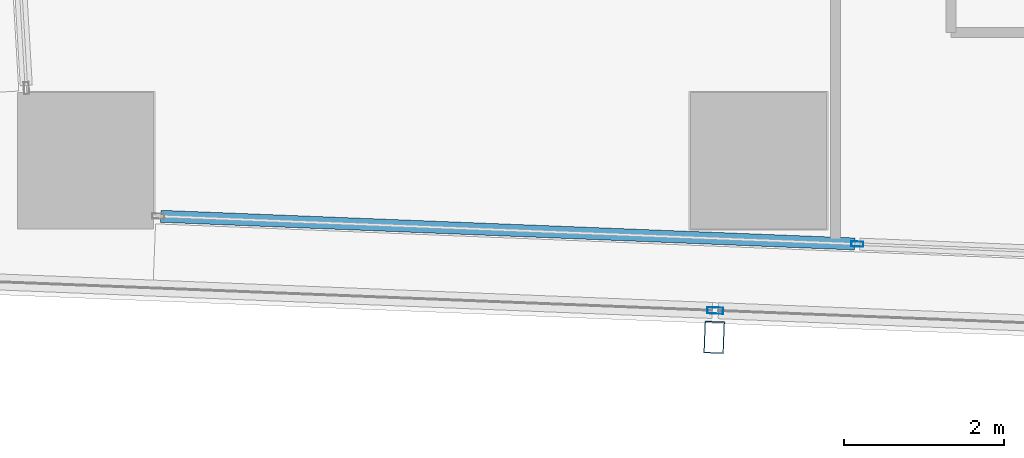
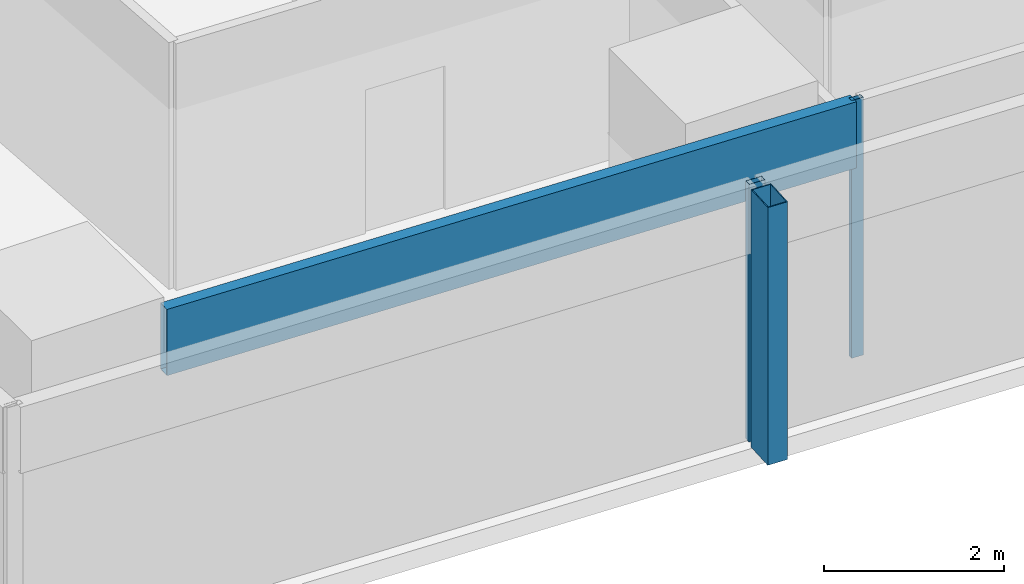
# One storey, part 3 of 39: 4 members, 2 elements without a shape of their own.
"""IFC4 building model written with IfcOpenShell, lengths in metres."""

from ifc_helpers import new_model, si_unit, direction, frame, origin, origin_2d, place, context, subcontext, project, spatial, hollow_rectangle, extrude, material, material_profile, profile_set, type_object, element, aggregate, save


model = new_model("IFC4")

# Units and contexts
model_context = context("Model", 3, precision=1e-05, world=origin(), true_north=direction((0.0, 1.0)))
body_context = subcontext(model_context, "Body", "Model", "MODEL_VIEW")
ifc_project = project(units=[si_unit("LENGTHUNIT", "METRE"), si_unit("AREAUNIT", "SQUARE_METRE"), si_unit("VOLUMEUNIT", "CUBIC_METRE"), si_unit("PLANEANGLEUNIT", "RADIAN"), si_unit("MASSUNIT", "GRAM", prefix="KILO")], contexts=[model_context])

# Site, building, storey
site_placement = place(None, origin())
site = spatial("IfcSite", under=ifc_project, at=site_placement, CompositionType="ELEMENT")
building_placement = place(site_placement, origin())
building = spatial("IfcBuilding", under=site, at=building_placement, Name="Rekha Terrace Tower", CompositionType="ELEMENT")
storey_placement = place(building_placement, frame((0.0, 0.0, 180.199951171875)))
storey = spatial("IfcBuildingStorey", under=building, at=storey_placement, Name="L45", CompositionType="ELEMENT", Elevation=180.199951171875)

# Curtain wall, member
ifc_material_1 = material(Name="Aluminium framing", Category="aluminium")
curtain_wall_type_1 = type_object("IfcCurtainWallType", Name="CW2 double skin outer glazing", PredefinedType="USERDEFINED", material=ifc_material_1)
curtain_wall_1_placement = place(storey_placement, origin())
curtain_wall_1 = element("IfcCurtainWall", 1, at=curtain_wall_1_placement, inside=storey, type_object=curtain_wall_type_1, Name="CW2 double skin outer glazing", ObjectType="DOUBLE SKIN OUTER GLAZING", PredefinedType="USERDEFINED")
ifc_material_2 = material(Name="Steel S355 with fluorocarbon finish", Category="steel")
ifc_material_profile_1 = material_profile(ifc_material_2, hollow_rectangle(XDim=0.25, YDim=0.39990234375, WallThickness=0.012451171875, at=origin_2d()), Name="RHS400x250x12.5")
ifc_profile_set_1 = profile_set([ifc_material_profile_1], Name="Steel S355 with fluorocarbon finish")
member_type_1 = type_object("IfcMemberType", Name="BL1 facade blade RHS 400 x 250", PredefinedType="USERDEFINED", material=ifc_profile_set_1)
member_1_placement = place(storey_placement, frame((16.24658203125, 14.595947265625, 0.0), z_axis=(0.0, 0.0, 1.0), x_axis=(0.999204797763, -0.039871946621, 0.0)))
member_1 = element("IfcMember", 2, at=member_1_placement, type_object=member_type_1, Name="Facade blade", ObjectType="FACADE BLADE", PredefinedType="USERDEFINED", context=body_context, shape_type="SweptSolid", body=[
    extrude(hollow_rectangle(XDim=0.25, YDim=0.39990234375, WallThickness=0.012451171875, at=origin_2d()), origin(), (0.0, 0.0, 1.0), 3.5),
])

# Curtain wall, members
curtain_wall_type_2 = type_object("IfcCurtainWallType", Name="CW1 double skin inner glazing", PredefinedType="USERDEFINED", material=ifc_material_1)
curtain_wall_2_placement = place(storey_placement, origin())
curtain_wall_2 = element("IfcCurtainWall", 3, at=curtain_wall_2_placement, inside=storey, type_object=curtain_wall_type_2, Name="CW1 double skin inner glazing", ObjectType="DOUBLE SKIN INNER GLAZING", PredefinedType="USERDEFINED")
ifc_material_3 = material(Name="Aluminium mullion section", Category="aluminium")
ifc_material_profile_2 = material_profile(ifc_material_3, hollow_rectangle(XDim=0.06494140625, YDim=0.14990234375, WallThickness=0.00390625, at=origin_2d()), Name="AL RHS 65x150")
ifc_profile_set_2 = profile_set([ifc_material_profile_2], Name="Aluminium mullion section")
member_type_2 = type_object("IfcMemberType", Name="CW1 mullion RHS 65 x 150", PredefinedType="MULLION", material=ifc_profile_set_2)
member_2_placement = place(storey_placement, frame((18.033203125, 15.760498046875, 0.0), z_axis=(0.0, 0.0, 1.0), x_axis=(0.039872497044, 0.999204775799, 0.0)))
member_2 = element("IfcMember", 4, at=member_2_placement, type_object=member_type_2, Name="CW1 mullion 2", PredefinedType="MULLION", context=body_context, shape_type="SweptSolid", body=[
    extrude(hollow_rectangle(XDim=0.06494140625, YDim=0.14990234375, WallThickness=0.00390625, at=origin_2d()), origin(), (0.0, 0.0, 1.0), 3.5),
])
ifc_material_4 = material(Name="Insulated aluminium spandrel box", Category="aluminium")
ifc_material_profile_3 = material_profile(ifc_material_4, hollow_rectangle(XDim=0.14990234375, YDim=0.89990234375, WallThickness=0.0029296875, at=origin_2d()), Name="AL SPANDREL BOX 150x900")
ifc_profile_set_3 = profile_set([ifc_material_profile_3], Name="Insulated aluminium spandrel box")
member_type_3 = type_object("IfcMemberType", Name="CW1 spandrel transom 150 x 900", PredefinedType="USERDEFINED", material=ifc_profile_set_3)
member_3_placement = place(storey_placement, frame((9.338623046875, 16.107421875, 3.050048828125), z_axis=(0.999205675486, -0.039849944499, 0.0), x_axis=(0.039849944499, 0.999205675486, 0.0)))
member_3 = element("IfcMember", 5, at=member_3_placement, type_object=member_type_3, Name="CW1 spandrel transom 1", ObjectType="TRANSOM", PredefinedType="USERDEFINED", context=body_context, shape_type="SweptSolid", body=[
    extrude(hollow_rectangle(XDim=0.14990234375, YDim=0.89990234375, WallThickness=0.0029296875, at=origin_2d()), origin(), (0.0, 0.0, 1.0), 8.6689453125),
])
aggregate(curtain_wall_2, [member_2, member_3])

# Member
ifc_material_profile_4 = material_profile(ifc_material_3, hollow_rectangle(XDim=0.080078125, YDim=0.199951171875, WallThickness=0.00390625, at=origin_2d()), Name="AL RHS 80x200")
ifc_profile_set_4 = profile_set([ifc_material_profile_4], Name="Aluminium mullion section")
member_type_4 = type_object("IfcMemberType", Name="CW2 mullion RHS 80 x 200", PredefinedType="MULLION", material=ifc_profile_set_4)
member_4_placement = place(storey_placement, frame((16.259765625, 14.9306640625, 0.0), z_axis=(0.0, 0.0, 1.0), x_axis=(0.039872497044, 0.999204775799, 0.0)))
member_4 = element("IfcMember", 6, at=member_4_placement, type_object=member_type_4, Name="CW2 mullion 2", PredefinedType="MULLION", context=body_context, shape_type="SweptSolid", body=[
    extrude(hollow_rectangle(XDim=0.080078125, YDim=0.199951171875, WallThickness=0.00390625, at=origin_2d()), origin(), (0.0, 0.0, 1.0), 3.5),
])

aggregate(curtain_wall_1, [member_4, member_1])

save(model, "model.ifc")
